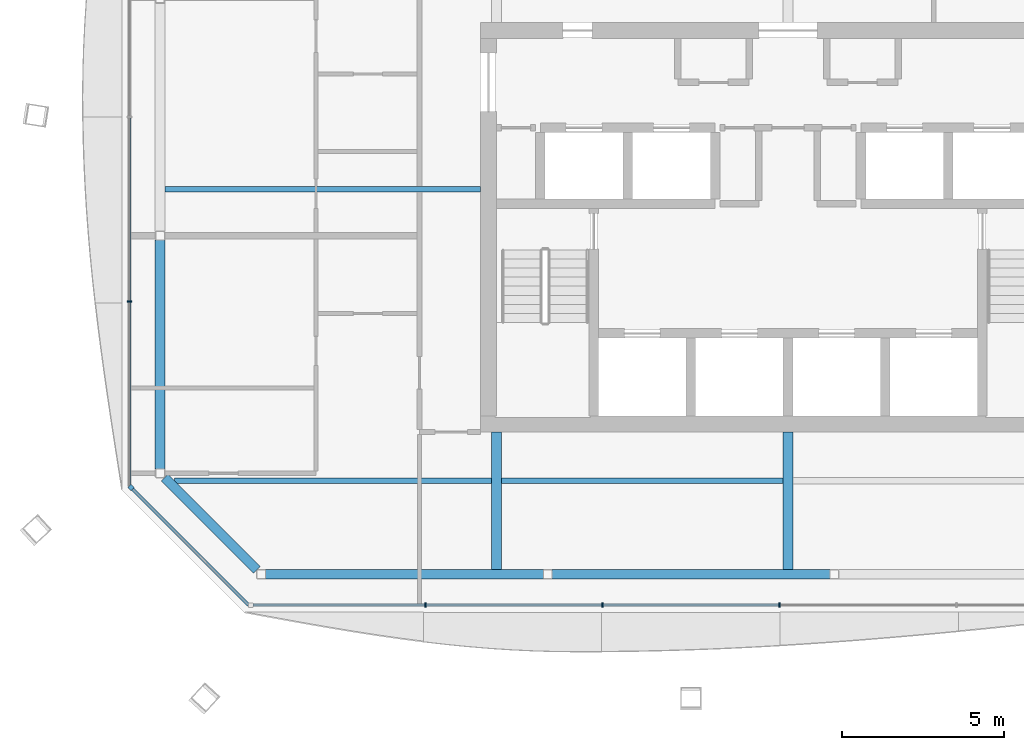
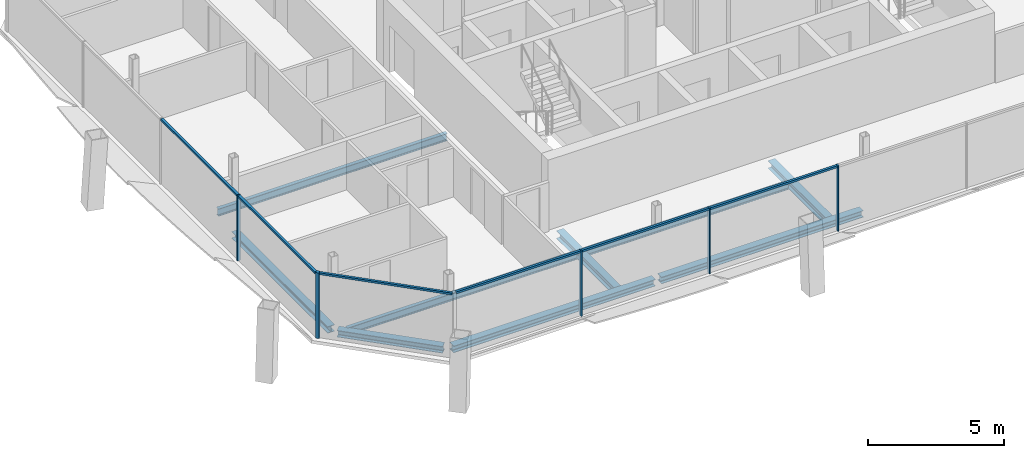
# One storey, part 3 of 16: 11 members, 9 beams, 3 elements without a shape of their own.
"""IFC4 building model written with IfcOpenShell, lengths in metres."""

from ifc_helpers import new_model, si_unit, direction, frame, origin, origin_2d, place, context, subcontext, project, spatial, rectangle, i_section, extrude, material, material_profile, profile_set, type_object, element, aggregate, save


model = new_model("IFC4")

# Units and contexts
model_context = context("Model", 3, precision=1e-05, world=origin(), true_north=direction((0.0, 1.0)))
body_context = subcontext(model_context, "Body", "Model", "MODEL_VIEW")
ifc_project = project(units=[si_unit("LENGTHUNIT", "METRE"), si_unit("AREAUNIT", "SQUARE_METRE"), si_unit("VOLUMEUNIT", "CUBIC_METRE"), si_unit("PLANEANGLEUNIT", "RADIAN"), si_unit("MASSUNIT", "GRAM", prefix="KILO")], contexts=[model_context])

# Site, building, storey
site_placement = place(None, origin())
site = spatial("IfcSite", under=ifc_project, at=site_placement, CompositionType="ELEMENT")
building_placement = place(site_placement, origin())
building = spatial("IfcBuilding", under=site, at=building_placement, Name="Tskaro Facet Tower", CompositionType="ELEMENT")
storey_placement = place(building_placement, frame((0.0, 0.0, 248.699951171875)))
storey = spatial("IfcBuildingStorey", under=building, at=storey_placement, Name="L65", CompositionType="ELEMENT", Elevation=248.699951171875)

# Curtain wall, member
ifc_material_1 = material(Name="Bronze anodised aluminium 6063-T6", Category="aluminium")
curtain_wall_type = type_object("IfcCurtainWallType", Name="Bronze residence curtain wall (FW3)", PredefinedType="NOTDEFINED", material=ifc_material_1)
curtain_wall_1_placement = place(storey_placement, origin())
curtain_wall_1 = element("IfcCurtainWall", 1, at=curtain_wall_1_placement, inside=storey, type_object=curtain_wall_type, Name="FW3 south-west facet L65", PredefinedType="NOTDEFINED")
ifc_material_profile_1 = material_profile(ifc_material_1, rectangle(XDim=0.139892578125, YDim=0.139892578125, at=origin_2d()), Name="Corner post 140x140")
ifc_profile_set_1 = profile_set([ifc_material_profile_1], Name="Bronze anodised aluminium 6063-T6")
member_type_1 = type_object("IfcMemberType", Name="FW3 bronze corner post 140x140", PredefinedType="MULLION", material=ifc_profile_set_1)
member_1_placement = place(storey_placement, frame((-20.29150390625, -13.71044921875, 0.0), z_axis=(0.0, 0.0, 1.0), x_axis=(0.707106781187, -0.707106781187, 0.0)))
member_1 = element("IfcMember", 2, at=member_1_placement, type_object=member_type_1, Name="FW3 south-west corner post", PredefinedType="MULLION", context=body_context, shape_type="SweptSolid", body=[
    extrude(rectangle(XDim=0.139892578125, YDim=0.139892578125, at=origin_2d()), origin(), (0.0, 0.0, 1.0), 2.949951171875),
])

# Curtain wall, members
curtain_wall_2_placement = place(storey_placement, origin())
curtain_wall_2 = element("IfcCurtainWall", 3, at=curtain_wall_2_placement, inside=storey, type_object=curtain_wall_type, Name="FW3 south facet L65", PredefinedType="NOTDEFINED")
ifc_material_profile_2 = material_profile(ifc_material_1, rectangle(XDim=0.050048828125, YDim=0.139892578125, at=origin_2d()), Name="Mullion 50x140")
ifc_profile_set_2 = profile_set([ifc_material_profile_2], Name="Bronze anodised aluminium 6063-T6")
member_type_2 = type_object("IfcMemberType", Name="FW3 bronze mullion 50x140", PredefinedType="MULLION", material=ifc_profile_set_2)
member_2_placement = place(storey_placement, frame((-11.196533203125, -17.341064453125, 0.0), z_axis=(0.0, 0.0, 1.0), x_axis=(1.0, 0.0, 0.0)))
member_2 = element("IfcMember", 4, at=member_2_placement, type_object=member_type_2, Name="FW3 south mullion 1", PredefinedType="MULLION", context=body_context, shape_type="SweptSolid", body=[
    extrude(rectangle(XDim=0.050048828125, YDim=0.139892578125, at=origin_2d()), origin(), (0.0, 0.0, 1.0), 2.949951171875),
])
member_3_placement = place(storey_placement, frame((-5.732177734375, -17.341064453125, 0.0), z_axis=(0.0, 0.0, 1.0), x_axis=(1.0, 0.0, 0.0)))
member_3 = element("IfcMember", 5, at=member_3_placement, type_object=member_type_2, Name="FW3 south mullion 2", PredefinedType="MULLION", context=body_context, shape_type="SweptSolid", body=[
    extrude(rectangle(XDim=0.050048828125, YDim=0.139892578125, at=origin_2d()), origin(), (0.0, 0.0, 1.0), 2.949951171875),
])
member_4_placement = place(storey_placement, frame((-0.267822265625, -17.341064453125, 0.0), z_axis=(0.0, 0.0, 1.0), x_axis=(1.0, 0.0, 0.0)))
member_4 = element("IfcMember", 6, at=member_4_placement, type_object=member_type_2, Name="FW3 south mullion 3", PredefinedType="MULLION", context=body_context, shape_type="SweptSolid", body=[
    extrude(rectangle(XDim=0.050048828125, YDim=0.139892578125, at=origin_2d()), origin(), (0.0, 0.0, 1.0), 2.949951171875),
])

# Curtain wall, member
curtain_wall_3_placement = place(storey_placement, origin())
curtain_wall_3 = element("IfcCurtainWall", 7, at=curtain_wall_3_placement, inside=storey, type_object=curtain_wall_type, Name="FW3 west facet L65", PredefinedType="NOTDEFINED")
member_5_placement = place(storey_placement, frame((-20.341064453125, -7.96630859375, 0.0), z_axis=(0.0, 0.0, 1.0), x_axis=(0.0, -1.0, 0.0)))
member_5 = element("IfcMember", 8, at=member_5_placement, type_object=member_type_2, Name="FW3 west mullion 3", PredefinedType="MULLION", context=body_context, shape_type="SweptSolid", body=[
    extrude(rectangle(XDim=0.050048828125, YDim=0.139892578125, at=origin_2d()), origin(), (0.0, 0.0, 1.0), 2.949951171875),
])

# Member
ifc_material_profile_3 = material_profile(ifc_material_1, rectangle(XDim=0.10009765625, YDim=0.090087890625, at=origin_2d()), Name="Transom 100x90")
ifc_profile_set_3 = profile_set([ifc_material_profile_3], Name="Bronze anodised aluminium 6063-T6")
member_type_3 = type_object("IfcMemberType", Name="FW3 bronze transom 100x90", PredefinedType="USERDEFINED", material=ifc_profile_set_3)
member_6_placement = place(storey_placement, frame((-16.52099609375, -17.341064453125, 2.905029296875), z_axis=(1.0, 0.0, 0.0), x_axis=(0.0, 1.0, 0.0)))
member_6 = element("IfcMember", 9, at=member_6_placement, type_object=member_type_3, Name="FW3 south transom 1.1", ObjectType="TRANSOM", PredefinedType="USERDEFINED", context=body_context, shape_type="SweptSolid", body=[
    extrude(rectangle(XDim=0.10009765625, YDim=0.090087890625, at=origin_2d()), origin(), (0.0, 0.0, 1.0), 5.29931640625),
])

member_7_placement = place(storey_placement, frame((-11.171630859375, -17.341064453125, 2.905029296875), z_axis=(1.0, 0.0, 0.0), x_axis=(0.0, 1.0, 0.0)))
member_7 = element("IfcMember", 10, at=member_7_placement, type_object=member_type_3, Name="FW3 south transom 2.1", ObjectType="TRANSOM", PredefinedType="USERDEFINED", context=body_context, shape_type="SweptSolid", body=[
    extrude(rectangle(XDim=0.10009765625, YDim=0.090087890625, at=origin_2d()), origin(), (0.0, 0.0, 1.0), 5.41455078125),
])

member_8_placement = place(storey_placement, frame((-5.707275390625, -17.341064453125, 2.905029296875), z_axis=(1.0, 0.0, 0.0), x_axis=(0.0, 1.0, 0.0)))
member_8 = element("IfcMember", 11, at=member_8_placement, type_object=member_type_3, Name="FW3 south transom 3.1", ObjectType="TRANSOM", PredefinedType="USERDEFINED", context=body_context, shape_type="SweptSolid", body=[
    extrude(rectangle(XDim=0.10009765625, YDim=0.090087890625, at=origin_2d()), origin(), (0.0, 0.0, 1.0), 5.41455078125),
])

aggregate(curtain_wall_2, [member_2, member_3, member_4, member_6, member_7, member_8])

member_9_placement = place(storey_placement, frame((-20.341064453125, -2.29638671875, 2.905029296875), z_axis=(0.0, -1.0, 0.0), x_axis=(1.0, 0.0, 0.0)))
member_9 = element("IfcMember", 12, at=member_9_placement, type_object=member_type_3, Name="FW3 west transom 3.1", ObjectType="TRANSOM", PredefinedType="USERDEFINED", context=body_context, shape_type="SweptSolid", body=[
    extrude(rectangle(XDim=0.10009765625, YDim=0.090087890625, at=origin_2d()), origin(), (0.0, 0.0, 1.0), 5.644775390625),
])

member_10_placement = place(storey_placement, frame((-20.341064453125, -7.9912109375, 2.905029296875), z_axis=(0.0, -1.0, 0.0), x_axis=(1.0, 0.0, 0.0)))
member_10 = element("IfcMember", 13, at=member_10_placement, type_object=member_type_3, Name="FW3 west transom 4.1", ObjectType="TRANSOM", PredefinedType="USERDEFINED", context=body_context, shape_type="SweptSolid", body=[
    extrude(rectangle(XDim=0.10009765625, YDim=0.090087890625, at=origin_2d()), origin(), (0.0, 0.0, 1.0), 5.669677734375),
])

aggregate(curtain_wall_3, [member_5, member_9, member_10])

member_11_placement = place(storey_placement, frame((-20.241943359375, -13.760009765625, 2.905029296875), z_axis=(0.707106781187, -0.707106781187, 0.0), x_axis=(0.707106781187, 0.707106781187, 0.0)))
member_11 = element("IfcMember", 14, at=member_11_placement, type_object=member_type_3, Name="FW3 south-west transom 1.1", ObjectType="TRANSOM", PredefinedType="USERDEFINED", context=body_context, shape_type="SweptSolid", body=[
    extrude(rectangle(XDim=0.10009765625, YDim=0.090087890625, at=origin_2d()), origin(), (0.0, 0.0, 1.0), 5.064453125),
])

aggregate(curtain_wall_1, [member_1, member_11])

# Beams
ifc_material_2 = material(Name="Steel S355J2", Category="steel")
ifc_material_profile_4 = material_profile(ifc_material_2, i_section(OverallWidth=0.300048828125, OverallDepth=0.300048828125, WebThickness=0.010986328125, FlangeThickness=0.01904296875, FilletRadius=0.027099609375, at=origin_2d()), Name="HE 300 B")
ifc_profile_set_4 = profile_set([ifc_material_profile_4], Name="Steel S355J2")
beam_type_1 = type_object("IfcBeamType", Name="HE 300 B ring beam", PredefinedType="BEAM", material=ifc_profile_set_4)
beam_1_placement = place(storey_placement, frame((-16.137939453125, -16.39111328125, -0.2900390625), z_axis=(1.0, 0.0, 0.0), x_axis=(0.0, 1.0, 0.0)))
element("IfcBeam", 15, at=beam_1_placement, inside=storey, type_object=beam_type_1, Name="HE 300 B EB1-5", PredefinedType="BEAM", context=body_context, shape_type="SweptSolid", body=[
    extrude(i_section(OverallWidth=0.300048828125, OverallDepth=0.300048828125, WebThickness=0.010986328125, FlangeThickness=0.01904296875, FilletRadius=0.027099609375, at=origin_2d()), origin(), (0.0, 0.0, 1.0), 8.5849609375),
])
beam_2_placement = place(storey_placement, frame((-7.29296875, -16.39111328125, -0.2900390625), z_axis=(1.0, 0.0, 0.0), x_axis=(0.0, 1.0, 0.0)))
element("IfcBeam", 16, at=beam_2_placement, inside=storey, type_object=beam_type_1, Name="HE 300 B EB2-5", PredefinedType="BEAM", context=body_context, shape_type="SweptSolid", body=[
    extrude(i_section(OverallWidth=0.300048828125, OverallDepth=0.300048828125, WebThickness=0.010986328125, FlangeThickness=0.01904296875, FilletRadius=0.027099609375, at=origin_2d()), origin(), (0.0, 0.0, 1.0), 8.5859375),
])
beam_3_placement = place(storey_placement, frame((-19.39111328125, -6.06689453125, -0.2900390625), z_axis=(0.0, -1.0, 0.0), x_axis=(1.0, 0.0, 0.0)))
element("IfcBeam", 17, at=beam_3_placement, inside=storey, type_object=beam_type_1, Name="HE 300 B EB16-5", PredefinedType="BEAM", context=body_context, shape_type="SweptSolid", body=[
    extrude(i_section(OverallWidth=0.300048828125, OverallDepth=0.300048828125, WebThickness=0.010986328125, FlangeThickness=0.01904296875, FilletRadius=0.027099609375, at=origin_2d()), origin(), (0.0, 0.0, 1.0), 7.071044921875),
])
beam_4_placement = place(storey_placement, frame((-19.255126953125, -13.40380859375, -0.2900390625), z_axis=(0.707106781187, -0.707106781187, 0.0), x_axis=(0.707106781187, 0.707106781187, 0.0)))
element("IfcBeam", 18, at=beam_4_placement, inside=storey, type_object=beam_type_1, Name="HE 300 B EB17-5", PredefinedType="BEAM", context=body_context, shape_type="SweptSolid", body=[
    extrude(i_section(OverallWidth=0.300048828125, OverallDepth=0.300048828125, WebThickness=0.010986328125, FlangeThickness=0.01904296875, FilletRadius=0.027099609375, at=origin_2d()), origin(), (0.0, 0.0, 1.0), 4.032470703125),
])
ifc_material_profile_5 = material_profile(ifc_material_2, i_section(OverallWidth=0.300048828125, OverallDepth=0.35009765625, WebThickness=0.010009765625, FlangeThickness=0.017578125, FilletRadius=0.027099609375, at=origin_2d()), Name="HE 360 A")
ifc_profile_set_5 = profile_set([ifc_material_profile_5], Name="Steel S355J2")
beam_type_2 = type_object("IfcBeamType", Name="HE 360 A girder", PredefinedType="BEAM", material=ifc_profile_set_5)
for number, where, z_axis, x_axis, name in (
    (19, (-9.0, -16.240966796875, -0.31494140625), (0.0, 1.0, 0.0), (-1.0, 0.0, 0.0), "HE 360 A GB3-1-5"),
    (20, (0.0, -16.240966796875, -0.31494140625), (0.0, 1.0, 0.0), (-1.0, 0.0, 0.0), "HE 360 A GB4-1-5"),
):
    element("IfcBeam", number, at=place(storey_placement, frame(where, z_axis=z_axis, x_axis=x_axis)), inside=storey, type_object=beam_type_2, Name=name, PredefinedType="BEAM", context=body_context, shape_type="SweptSolid", body=[
        extrude(i_section(OverallWidth=0.300048828125, OverallDepth=0.35009765625, WebThickness=0.010009765625, FlangeThickness=0.017578125, FilletRadius=0.027099609375, at=origin_2d()), origin(), (0.0, 0.0, 1.0), 4.240966796875),
    ])
ifc_material_profile_6 = material_profile(ifc_material_2, i_section(OverallWidth=0.159912109375, OverallDepth=0.330078125, WebThickness=0.007568359375, FlangeThickness=0.011474609375, FilletRadius=0.01806640625, at=origin_2d()), Name="IPE 330")
ifc_profile_set_6 = profile_set([ifc_material_profile_6], Name="Steel S355J2")
beam_type_3 = type_object("IfcBeamType", Name="IPE 330 secondary beam", PredefinedType="BEAM", material=ifc_profile_set_6)
beam_5_placement = place(storey_placement, frame((-18.947021484375, -13.5, -0.304931640625), z_axis=(1.0, 0.0, 0.0), x_axis=(0.0, 1.0, 0.0)))
element("IfcBeam", 21, at=beam_5_placement, inside=storey, type_object=beam_type_3, Name="IPE 330 SB2a-1-5", PredefinedType="BEAM", context=body_context, shape_type="SweptSolid", body=[
    extrude(i_section(OverallWidth=0.159912109375, OverallDepth=0.330078125, WebThickness=0.007568359375, FlangeThickness=0.011474609375, FilletRadius=0.01806640625, at=origin_2d()), origin(), (0.0, 0.0, 1.0), 9.797119140625),
])
beam_6_placement = place(storey_placement, frame((-8.85009765625, -13.5, -0.304931640625), z_axis=(1.0, 0.0, 0.0), x_axis=(0.0, 1.0, 0.0)))
element("IfcBeam", 22, at=beam_6_placement, inside=storey, type_object=beam_type_3, Name="IPE 330 SB2a-2-5", PredefinedType="BEAM", context=body_context, shape_type="SweptSolid", body=[
    extrude(i_section(OverallWidth=0.159912109375, OverallDepth=0.330078125, WebThickness=0.007568359375, FlangeThickness=0.011474609375, FilletRadius=0.01806640625, at=origin_2d()), origin(), (0.0, 0.0, 1.0), 8.7001953125),
])
beam_7_placement = place(storey_placement, frame((-19.240966796875, -4.5, -0.304931640625), z_axis=(1.0, 0.0, 0.0), x_axis=(0.0, 1.0, 0.0)))
element("IfcBeam", 23, at=beam_7_placement, inside=storey, type_object=beam_type_3, Name="IPE 330 SB3a-1-5", PredefinedType="BEAM", context=body_context, shape_type="SweptSolid", body=[
    extrude(i_section(OverallWidth=0.159912109375, OverallDepth=0.330078125, WebThickness=0.007568359375, FlangeThickness=0.011474609375, FilletRadius=0.01806640625, at=origin_2d()), origin(), (0.0, 0.0, 1.0), 9.740966796875),
])

save(model, "model.ifc")
